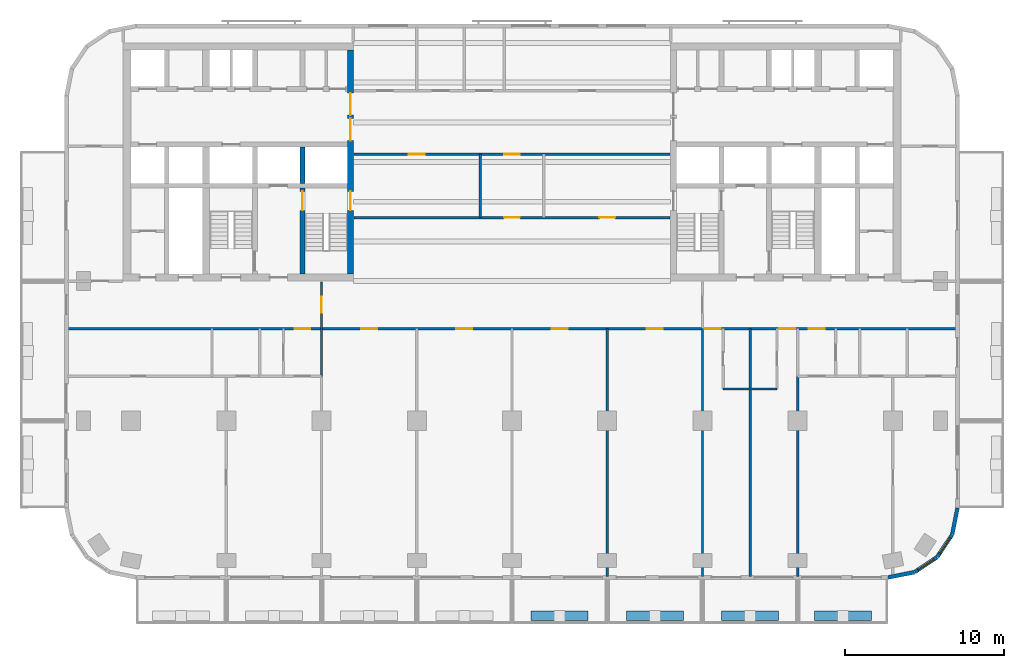
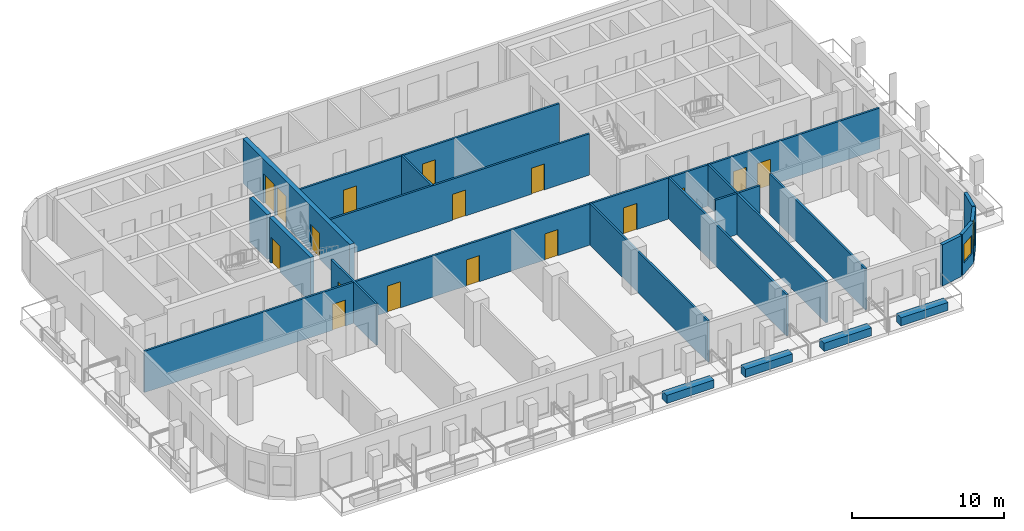
# One storey, part 4 of 12: 21 walls, 17 doors, 2 windows, 19 openings.
"""IFC4 building model written with IfcOpenShell, lengths in metres."""

from ifc_helpers import new_model, si_unit, direction, frame, frame_2d, origin, place, context, subcontext, project, spatial, rectangle, extrude, material, layer, layer_set, type_object, element, fill, save


model = new_model("IFC4")

# Units and contexts
model_context = context("Model", 3, precision=1e-05, world=origin(), true_north=direction((0.0, 1.0)))
body_context = subcontext(model_context, "Body", "Model", "MODEL_VIEW")
ifc_project = project(units=[si_unit("LENGTHUNIT", "METRE"), si_unit("AREAUNIT", "SQUARE_METRE"), si_unit("VOLUMEUNIT", "CUBIC_METRE"), si_unit("PLANEANGLEUNIT", "RADIAN"), si_unit("MASSUNIT", "GRAM", prefix="KILO")], contexts=[model_context])

# Site, building, storey
site_placement = place(None, origin())
site = spatial("IfcSite", under=ifc_project, at=site_placement, CompositionType="ELEMENT")
building_placement = place(site_placement, origin())
building = spatial("IfcBuilding", under=site, at=building_placement, Name="Torana Hotel and Residences", CompositionType="ELEMENT")
storey_placement = place(building_placement, frame((0.0, 0.0, 159.60009765625)))
storey = spatial("IfcBuildingStorey", under=building, at=storey_placement, Name="L41", CompositionType="ELEMENT", Elevation=159.60009765625)

# Wall
ifc_material_1 = material(Name="Concrete C70/85", Category="concrete")
ifc_layer_1 = layer(ifc_material_1, 0.300048828125)
ifc_layer_set_1 = layer_set([ifc_layer_1], Name="CORE WALL 300 C70/85")
wall_type_1 = type_object("IfcWallType", Name="CORE WALL 300 C70/85", PredefinedType="SHEAR", material=ifc_layer_set_1)
wall_1_placement = place(storey_placement, frame((-13.199951171875, -8.85009765625, 0.0), z_axis=(0.0, 0.0, 1.0), x_axis=(0.0, 1.0, 0.0)))
element("IfcWall", 1, at=wall_1_placement, inside=storey, type_object=wall_type_1, Name="Core wall W x3.05-S", PredefinedType="SHEAR", context=body_context, shape_type="SweptSolid", body=[
    extrude(rectangle(XDim=2.300048828125, YDim=0.300048828125, at=frame_2d((1.14990234375, 0.0))), origin(), (0.0, 0.0, 1.0), 3.599853515625),
])

# Wall, opening, door
wall_2_placement = place(storey_placement, frame((-13.199951171875, -14.550048828125, 0.0), z_axis=(0.0, 0.0, 1.0), x_axis=(0.0, 1.0, 0.0)))
wall_2 = element("IfcWall", 2, at=wall_2_placement, inside=storey, type_object=wall_type_1, Name="Core wall W x3.05-band", PredefinedType="SHEAR", context=body_context, shape_type="SweptSolid", body=[
    extrude(rectangle(XDim=5.400146484375, YDim=0.300048828125, at=frame_2d((2.7001953125, 0.0))), origin(), (0.0, 0.0, 1.0), 3.599853515625),
])
opening_1_placement = place(wall_2_placement, frame((4.0, 0.0, 0.0)))
opening_1 = element("IfcOpeningElement", 3, at=opening_1_placement, cuts=wall_2, Name="Opening L41-14", PredefinedType="OPENING", context=body_context, shape_type="SweptSolid", body=[
    extrude(rectangle(XDim=1.199951171875, YDim=2.10009765625, at=frame_2d((0.60009765625, 1.050048828125))), frame((0.0, 0.159912109375, 0.0), z_axis=(0.0, -1.0, 0.0), x_axis=(1.0, 0.0, 0.0)), (0.0, 0.0, 1.0), 0.320068359375),
])
ifc_material_2 = material(Name="Steel S235", Category="steel")
door_type_1 = type_object("IfcDoorType", Name="STAIR FIRE DOOR D3 1200x2100", OperationType="SINGLE_SWING_LEFT", PredefinedType="DOOR", material=ifc_material_2)
door_1_placement = place(opening_1_placement, frame((0.60009765625, 0.0, 0.0), z_axis=(0.0, 0.0, 1.0), x_axis=(-1.0, 0.0, 0.0)))
door_1 = element("IfcDoor", 4, at=door_1_placement, inside=storey, type_object=door_type_1, Name="Stair-A-lobby door L41", OperationType="SINGLE_SWING_RIGHT", OverallHeight=2.10009765625, OverallWidth=1.199951171875, PredefinedType="DOOR", context=body_context, shape_type="SweptSolid", body=[
    extrude(rectangle(XDim=1.199951171875, YDim=2.10009765625, at=frame_2d((0.0, 1.050048828125))), frame((0.0, -0.02490234375, 0.0), z_axis=(0.0, 1.0, 0.0), x_axis=(-1.0, 0.0, 0.0)), (0.0, 0.0, 1.0), 0.050048828125),
])
fill(opening_1, door_1)

# Wall, openings, doors
ifc_material_3 = material(Name="Concrete C70/85", Category="concrete")
ifc_layer_2 = layer(ifc_material_3, 0.35009765625)
ifc_layer_set_2 = layer_set([ifc_layer_2], Name="CORE WALL 350 C70/85")
wall_type_2 = type_object("IfcWallType", Name="CORE WALL 350 C70/85", PredefinedType="SHEAR", material=ifc_layer_set_2)
wall_3_placement = place(storey_placement, frame((-10.175048828125, -14.550048828125, 0.0), z_axis=(0.0, 0.0, 1.0), x_axis=(0.0, 1.0, 0.0)))
wall_3 = element("IfcWall", 5, at=wall_3_placement, inside=storey, type_object=wall_type_2, Name="Core wall W arch", PredefinedType="SHEAR", context=body_context, shape_type="SweptSolid", body=[
    extrude(rectangle(XDim=14.10009765625, YDim=0.35009765625, at=frame_2d((7.050048828125, 0.0))), origin(), (0.0, 0.0, 1.0), 3.599853515625),
])
opening_2_placement = place(wall_3_placement, frame((8.39990234375, 0.0, 0.0)))
opening_2 = element("IfcOpeningElement", 6, at=opening_2_placement, cuts=wall_3, Name="Opening L41-01", PredefinedType="OPENING", context=body_context, shape_type="SweptSolid", body=[
    extrude(rectangle(XDim=1.39990234375, YDim=2.39990234375, at=frame_2d((0.699951171875, 1.199951171875))), frame((0.0, 0.18505859375, 0.0), z_axis=(0.0, -1.0, 0.0), x_axis=(1.0, 0.0, 0.0)), (0.0, 0.0, 1.0), 0.3701171875),
])
opening_3_placement = place(wall_3_placement, frame((10.0, 0.0, 0.0)))
opening_3 = element("IfcOpeningElement", 7, at=opening_3_placement, cuts=wall_3, Name="Opening L41-02", PredefinedType="OPENING", context=body_context, shape_type="SweptSolid", body=[
    extrude(rectangle(XDim=1.39990234375, YDim=2.39990234375, at=frame_2d((0.699951171875, 1.199951171875))), frame((0.0, 0.18505859375, 0.0), z_axis=(0.0, -1.0, 0.0), x_axis=(1.0, 0.0, 0.0)), (0.0, 0.0, 1.0), 0.3701171875),
])
opening_4_placement = place(wall_3_placement, frame((4.0, 0.0, 0.0)))
opening_4 = element("IfcOpeningElement", 8, at=opening_4_placement, cuts=wall_3, Name="Opening L41-03", PredefinedType="OPENING", context=body_context, shape_type="SweptSolid", body=[
    extrude(rectangle(XDim=1.199951171875, YDim=2.10009765625, at=frame_2d((0.60009765625, 1.050048828125))), frame((0.0, 0.18505859375, 0.0), z_axis=(0.0, -1.0, 0.0), x_axis=(1.0, 0.0, 0.0)), (0.0, 0.0, 1.0), 0.3701171875),
])
ifc_material_4 = material(Name="Steel S235", Category="steel")
door_type_2 = type_object("IfcDoorType", Name="LOBBY FIRE DOOR D4 1400x2400", OperationType="DOUBLE_DOOR_SINGLE_SWING", PredefinedType="DOOR", material=ifc_material_4)
door_2_placement = place(opening_2_placement, origin())
door_2 = element("IfcDoor", 9, at=door_2_placement, inside=storey, type_object=door_type_2, Name="Lobby-1 door L41", OperationType="DOUBLE_DOOR_SINGLE_SWING", OverallHeight=2.39990234375, OverallWidth=1.39990234375, PredefinedType="DOOR", context=body_context, shape_type="SweptSolid", body=[
    extrude(rectangle(XDim=1.39990234375, YDim=2.39990234375, at=frame_2d((0.699951171875, 1.199951171875))), frame((0.0, 0.02490234375, 0.0), z_axis=(0.0, -1.0, 0.0), x_axis=(1.0, 0.0, 0.0)), (0.0, 0.0, 1.0), 0.050048828125),
])
fill(opening_2, door_2)
door_3_placement = place(opening_3_placement, origin())
door_3 = element("IfcDoor", 10, at=door_3_placement, inside=storey, type_object=door_type_2, Name="Lobby-2 door L41", OperationType="DOUBLE_DOOR_SINGLE_SWING", OverallHeight=2.39990234375, OverallWidth=1.39990234375, PredefinedType="DOOR", context=body_context, shape_type="SweptSolid", body=[
    extrude(rectangle(XDim=1.39990234375, YDim=2.39990234375, at=frame_2d((0.699951171875, 1.199951171875))), frame((0.0, 0.02490234375, 0.0), z_axis=(0.0, -1.0, 0.0), x_axis=(1.0, 0.0, 0.0)), (0.0, 0.0, 1.0), 0.050048828125),
])
fill(opening_3, door_3)
door_4_placement = place(opening_4_placement, origin())
door_4 = element("IfcDoor", 11, at=door_4_placement, inside=storey, type_object=door_type_1, Name="Stair-A door L41", OperationType="SINGLE_SWING_LEFT", OverallHeight=2.10009765625, OverallWidth=1.199951171875, PredefinedType="DOOR", context=body_context, shape_type="SweptSolid", body=[
    extrude(rectangle(XDim=1.199951171875, YDim=2.10009765625, at=frame_2d((0.60009765625, 1.050048828125))), frame((0.0, 0.02490234375, 0.0), z_axis=(0.0, -1.0, 0.0), x_axis=(1.0, 0.0, 0.0)), (0.0, 0.0, 1.0), 0.050048828125),
])
fill(opening_4, door_4)

# Wall
ifc_material_5 = material(Name="Black aluminium composite panel", Category="aluminium")
ifc_layer_3 = layer(ifc_material_5, 0.00390625, Name="Cladding", Category="cladding")
ifc_material_6 = material(Name="Ventilated air cavity")
ifc_layer_4 = layer(ifc_material_6, 0.0400390625, Name="Ventilated cavity", Category="cavity")
ifc_material_7 = material(Name="Mineral wool insulation")
ifc_layer_5 = layer(ifc_material_7, 0.090087890625, Name="Insulation", Category="insulation")
ifc_material_8 = material(Name="Steel S280GD", Category="steel")
ifc_layer_6 = layer(ifc_material_8, 0.092041015625, Name="Steel stud frame", Category="structure")
ifc_material_9 = material(Name="Fire rated plasterboard")
ifc_layer_7 = layer(ifc_material_9, 0.011962890625, Name="Inner board", Category="finish")
ifc_layer_8 = layer(ifc_material_9, 0.011962890625, Name="Second board", Category="finish")
ifc_layer_set_3 = layer_set([ifc_layer_3, ifc_layer_4, ifc_layer_5, ifc_layer_6, ifc_layer_7, ifc_layer_8], Name="EW1 EXTERNAL WALL BLACK METAL CLAD 250")
wall_type_3 = type_object("IfcWallType", Name="EW1 EXTERNAL WALL BLACK METAL CLAD 250", PredefinedType="SOLIDWALL", material=ifc_layer_set_3)
wall_4_placement = place(storey_placement, frame((23.69970703125, -33.672607421875, 0.0), z_axis=(0.0, 0.0, 1.0), x_axis=(0.980775640221, 0.19513878023, 0.0)))
element("IfcWall", 12, at=wall_4_placement, inside=storey, type_object=wall_type_3, Name="External wall L41 e0.15", PredefinedType="SOLIDWALL", context=body_context, shape_type="SweptSolid", body=[
    extrude(rectangle(XDim=1.681396484375, YDim=0.25, at=frame_2d((0.8408203125, 0.0))), origin(), (0.0, 0.0, 1.0), 3.31982421875),
])

# Wall, opening, window
wall_5_placement = place(storey_placement, frame((25.39404296875, -33.325927734375, 0.0), z_axis=(0.0, 0.0, 1.0), x_axis=(0.831482937015, 0.55555029066, 0.0)))
wall_5 = element("IfcWall", 13, at=wall_5_placement, inside=storey, type_object=wall_type_3, Name="External wall L41 e0.16", PredefinedType="SOLIDWALL", context=body_context, shape_type="SweptSolid", body=[
    extrude(rectangle(XDim=1.65625, YDim=0.25, at=frame_2d((0.828125, 0.0))), origin(), (0.0, 0.0, 1.0), 3.31982421875),
])
opening_5_placement = place(wall_5_placement, frame((0.228271484375, 0.0, 0.89990234375)))
opening_5 = element("IfcOpeningElement", 14, at=opening_5_placement, cuts=wall_5, Name="Opening W5", PredefinedType="OPENING", context=body_context, shape_type="SweptSolid", body=[
    extrude(rectangle(XDim=1.199951171875, YDim=1.5, at=frame_2d((0.60009765625, 0.75))), frame((0.0, 0.135009765625, 0.0), z_axis=(0.0, -1.0, 0.0), x_axis=(1.0, 0.0, 0.0)), (0.0, 0.0, 1.0), 0.27001953125),
])
ifc_material_10 = material(Name="Dark glass in black aluminium frame", Category="aluminium")
window_type = type_object("IfcWindowType", Name="W5 CORNER FACET WINDOW 1200x1500", PartitioningType="SINGLE_PANEL", PredefinedType="WINDOW", material=ifc_material_10)
window_1_placement = place(opening_5_placement, origin())
window_1 = element("IfcWindow", 15, at=window_1_placement, inside=storey, type_object=window_type, Name="Window L41 e0.16", OverallHeight=1.5, OverallWidth=1.199951171875, PartitioningType="SINGLE_PANEL", PredefinedType="WINDOW", context=body_context, shape_type="SweptSolid", body=[
    extrude(rectangle(XDim=1.199951171875, YDim=1.5, at=frame_2d((0.60009765625, 0.75))), frame((0.0, 0.030029296875, 0.0), z_axis=(0.0, -1.0, 0.0), x_axis=(1.0, 0.0, 0.0)), (0.0, 0.0, 1.0), 0.06005859375),
])
fill(opening_5, window_1)

wall_6_placement = place(storey_placement, frame((26.8056640625, -32.37109375, 0.0), z_axis=(0.0, 0.0, 1.0), x_axis=(0.55555029066, 0.831482937015, 0.0)))
wall_6 = element("IfcWall", 16, at=wall_6_placement, inside=storey, type_object=wall_type_3, Name="External wall L41 e0.17", PredefinedType="SOLIDWALL", context=body_context, shape_type="SweptSolid", body=[
    extrude(rectangle(XDim=1.65625, YDim=0.25, at=frame_2d((0.828125, 0.0))), origin(), (0.0, 0.0, 1.0), 3.31982421875),
])
opening_6_placement = place(wall_6_placement, frame((0.228271484375, 0.0, 0.89990234375)))
opening_6 = element("IfcOpeningElement", 17, at=opening_6_placement, cuts=wall_6, Name="Opening W5", PredefinedType="OPENING", context=body_context, shape_type="SweptSolid", body=[
    extrude(rectangle(XDim=1.199951171875, YDim=1.5, at=frame_2d((0.60009765625, 0.75))), frame((0.0, 0.135009765625, 0.0), z_axis=(0.0, -1.0, 0.0), x_axis=(1.0, 0.0, 0.0)), (0.0, 0.0, 1.0), 0.27001953125),
])
window_2_placement = place(opening_6_placement, origin())
window_2 = element("IfcWindow", 18, at=window_2_placement, inside=storey, type_object=window_type, Name="Window L41 e0.17", OverallHeight=1.5, OverallWidth=1.199951171875, PartitioningType="SINGLE_PANEL", PredefinedType="WINDOW", context=body_context, shape_type="SweptSolid", body=[
    extrude(rectangle(XDim=1.199951171875, YDim=1.5, at=frame_2d((0.60009765625, 0.75))), frame((0.0, 0.030029296875, 0.0), z_axis=(0.0, -1.0, 0.0), x_axis=(1.0, 0.0, 0.0)), (0.0, 0.0, 1.0), 0.06005859375),
])
fill(opening_6, window_2)

# Walls
wall_7_placement = place(storey_placement, frame((27.74462890625, -30.948974609375, 0.0), z_axis=(0.0, 0.0, 1.0), x_axis=(0.194999110559, 0.980803419081, 0.0)))
element("IfcWall", 19, at=wall_7_placement, inside=storey, type_object=wall_type_3, Name="External wall L41 e0.18", PredefinedType="SOLIDWALL", context=body_context, shape_type="SweptSolid", body=[
    extrude(rectangle(XDim=1.681396484375, YDim=0.25, at=frame_2d((0.8408203125, 0.0))), origin(), (0.0, 0.0, 1.0), 3.31982421875),
])
ifc_material_11 = material(Name="Gypsum plaster")
ifc_layer_9 = layer(ifc_material_11, 0.014892578125, Name="Plaster", Category="finish")
ifc_material_12 = material(Name="Concrete blockwork", Category="masonry")
ifc_layer_10 = layer(ifc_material_12, 0.1201171875, Name="Blockwork", Category="structure")
ifc_layer_11 = layer(ifc_material_11, 0.014892578125, Name="Plaster", Category="finish")
ifc_layer_set_4 = layer_set([ifc_layer_9, ifc_layer_10, ifc_layer_11], Name="FIRE PARTITION 150 BLOCKWORK")
wall_type_4 = type_object("IfcWallType", Name="FIRE PARTITION 150 BLOCKWORK", PredefinedType="PARTITIONING", material=ifc_layer_set_4)
wall_8_placement = place(storey_placement, frame((-2.0, -11.0, 0.0), z_axis=(0.0, 0.0, 1.0), x_axis=(0.0, 1.0, 0.0)))
element("IfcWall", 20, at=wall_8_placement, inside=storey, type_object=wall_type_4, Name="Partition L41", PredefinedType="PARTITIONING", context=body_context, shape_type="SweptSolid", body=[
    extrude(rectangle(XDim=4.0, YDim=0.14990234375, at=frame_2d((2.0, 0.0))), origin(), (0.0, 0.0, 1.0), 3.31982421875),
])

# Wall, opening, door
wall_9_placement = place(storey_placement, frame((-12.0, -21.0, 0.0), z_axis=(0.0, 0.0, 1.0), x_axis=(0.0, 1.0, 0.0)))
wall_9 = element("IfcWall", 21, at=wall_9_placement, inside=storey, type_object=wall_type_4, Name="Partition L41", PredefinedType="PARTITIONING", context=body_context, shape_type="SweptSolid", body=[
    extrude(rectangle(XDim=5.949951171875, YDim=0.14990234375, at=frame_2d((2.97509765625, 0.0))), origin(), (0.0, 0.0, 1.0), 3.31982421875),
])
opening_7_placement = place(wall_9_placement, frame((4.0, 0.0, 0.0)))
opening_7 = element("IfcOpeningElement", 22, at=opening_7_placement, cuts=wall_9, Name="Opening L41-33", PredefinedType="OPENING", context=body_context, shape_type="SweptSolid", body=[
    extrude(rectangle(XDim=1.0, YDim=2.10009765625, at=frame_2d((0.5, 1.050048828125))), frame((0.0, 0.0849609375, 0.0), z_axis=(0.0, -1.0, 0.0), x_axis=(1.0, 0.0, 0.0)), (0.0, 0.0, 1.0), 0.169921875),
])
ifc_material_13 = material(Name="Steel S235", Category="steel")
door_type_3 = type_object("IfcDoorType", Name="ENTRY FIRE DOOR D6 1000x2100", OperationType="SINGLE_SWING_LEFT", PredefinedType="DOOR", material=ifc_material_13)
door_5_placement = place(opening_7_placement, origin())
door_5 = element("IfcDoor", 23, at=door_5_placement, inside=storey, type_object=door_type_3, Name="Door L41", OperationType="SINGLE_SWING_RIGHT", OverallHeight=2.10009765625, OverallWidth=1.0, PredefinedType="DOOR", context=body_context, shape_type="SweptSolid", body=[
    extrude(rectangle(XDim=1.0, YDim=2.10009765625, at=frame_2d((0.5, 1.050048828125))), frame((0.0, 0.02490234375, 0.0), z_axis=(0.0, -1.0, 0.0), x_axis=(1.0, 0.0, 0.0)), (0.0, 0.0, 1.0), 0.050048828125),
])
fill(opening_7, door_5)

# Wall, openings, doors
wall_10_placement = place(storey_placement, frame((-28.02001953125, -18.0, 0.0), z_axis=(0.0, 0.0, 1.0), x_axis=(1.0, 0.0, 0.0)))
wall_10 = element("IfcWall", 24, at=wall_10_placement, inside=storey, type_object=wall_type_4, Name="Partition L41", PredefinedType="PARTITIONING", context=body_context, shape_type="SweptSolid", body=[
    extrude(rectangle(XDim=56.0400390625, YDim=0.14990234375, at=frame_2d((28.02001953125, 0.0))), origin(), (0.0, 0.0, 1.0), 3.31982421875),
])
opening_8_placement = place(wall_10_placement, frame((14.320068359375, 0.0, 0.0)))
opening_8 = element("IfcOpeningElement", 25, at=opening_8_placement, cuts=wall_10, Name="Opening L41-34", PredefinedType="OPENING", context=body_context, shape_type="SweptSolid", body=[
    extrude(rectangle(XDim=1.0, YDim=2.10009765625, at=frame_2d((0.5, 1.050048828125))), frame((0.0, 0.0849609375, 0.0), z_axis=(0.0, -1.0, 0.0), x_axis=(1.0, 0.0, 0.0)), (0.0, 0.0, 1.0), 0.169921875),
])
opening_9_placement = place(wall_10_placement, frame((40.169921875, 0.0, 0.0)))
opening_9 = element("IfcOpeningElement", 26, at=opening_9_placement, cuts=wall_10, Name="Opening L41-37", PredefinedType="OPENING", context=body_context, shape_type="SweptSolid", body=[
    extrude(rectangle(XDim=1.0, YDim=2.10009765625, at=frame_2d((0.5, 1.050048828125))), frame((0.0, 0.0849609375, 0.0), z_axis=(0.0, -1.0, 0.0), x_axis=(1.0, 0.0, 0.0)), (0.0, 0.0, 1.0), 0.169921875),
])
opening_10_placement = place(wall_10_placement, frame((44.8701171875, 0.0, 0.0)))
opening_10 = element("IfcOpeningElement", 27, at=opening_10_placement, cuts=wall_10, Name="Opening L41-38", PredefinedType="OPENING", context=body_context, shape_type="SweptSolid", body=[
    extrude(rectangle(XDim=1.0, YDim=2.10009765625, at=frame_2d((0.5, 1.050048828125))), frame((0.0, 0.0849609375, 0.0), z_axis=(0.0, -1.0, 0.0), x_axis=(1.0, 0.0, 0.0)), (0.0, 0.0, 1.0), 0.169921875),
])
opening_11_placement = place(wall_10_placement, frame((46.719970703125, 0.0, 0.0)))
opening_11 = element("IfcOpeningElement", 28, at=opening_11_placement, cuts=wall_10, Name="Opening L41-39", PredefinedType="OPENING", context=body_context, shape_type="SweptSolid", body=[
    extrude(rectangle(XDim=1.0, YDim=2.10009765625, at=frame_2d((0.5, 1.050048828125))), frame((0.0, 0.0849609375, 0.0), z_axis=(0.0, -1.0, 0.0), x_axis=(1.0, 0.0, 0.0)), (0.0, 0.0, 1.0), 0.169921875),
])
opening_12_placement = place(wall_10_placement, frame((18.52001953125, 0.0, 0.0)))
opening_12 = element("IfcOpeningElement", 29, at=opening_12_placement, cuts=wall_10, Name="Opening L41-42", PredefinedType="OPENING", context=body_context, shape_type="SweptSolid", body=[
    extrude(rectangle(XDim=1.0, YDim=2.10009765625, at=frame_2d((0.5, 1.050048828125))), frame((0.0, 0.0849609375, 0.0), z_axis=(0.0, -1.0, 0.0), x_axis=(1.0, 0.0, 0.0)), (0.0, 0.0, 1.0), 0.169921875),
])
opening_13_placement = place(wall_10_placement, frame((24.52001953125, 0.0, 0.0)))
opening_13 = element("IfcOpeningElement", 30, at=opening_13_placement, cuts=wall_10, Name="Opening L41-43", PredefinedType="OPENING", context=body_context, shape_type="SweptSolid", body=[
    extrude(rectangle(XDim=1.0, YDim=2.10009765625, at=frame_2d((0.5, 1.050048828125))), frame((0.0, 0.0849609375, 0.0), z_axis=(0.0, -1.0, 0.0), x_axis=(1.0, 0.0, 0.0)), (0.0, 0.0, 1.0), 0.169921875),
])
opening_14_placement = place(wall_10_placement, frame((30.52001953125, 0.0, 0.0)))
opening_14 = element("IfcOpeningElement", 31, at=opening_14_placement, cuts=wall_10, Name="Opening L41-44", PredefinedType="OPENING", context=body_context, shape_type="SweptSolid", body=[
    extrude(rectangle(XDim=1.0, YDim=2.10009765625, at=frame_2d((0.5, 1.050048828125))), frame((0.0, 0.0849609375, 0.0), z_axis=(0.0, -1.0, 0.0), x_axis=(1.0, 0.0, 0.0)), (0.0, 0.0, 1.0), 0.169921875),
])
opening_15_placement = place(wall_10_placement, frame((36.52001953125, 0.0, 0.0)))
opening_15 = element("IfcOpeningElement", 32, at=opening_15_placement, cuts=wall_10, Name="Opening L41-45", PredefinedType="OPENING", context=body_context, shape_type="SweptSolid", body=[
    extrude(rectangle(XDim=1.0, YDim=2.10009765625, at=frame_2d((0.5, 1.050048828125))), frame((0.0, 0.0849609375, 0.0), z_axis=(0.0, -1.0, 0.0), x_axis=(1.0, 0.0, 0.0)), (0.0, 0.0, 1.0), 0.169921875),
])
door_6_placement = place(opening_8_placement, origin())
door_6 = element("IfcDoor", 33, at=door_6_placement, inside=storey, type_object=door_type_3, Name="Door L41", OperationType="SINGLE_SWING_LEFT", OverallHeight=2.10009765625, OverallWidth=1.0, PredefinedType="DOOR", context=body_context, shape_type="SweptSolid", body=[
    extrude(rectangle(XDim=1.0, YDim=2.10009765625, at=frame_2d((0.5, 1.050048828125))), frame((0.0, 0.02490234375, 0.0), z_axis=(0.0, -1.0, 0.0), x_axis=(1.0, 0.0, 0.0)), (0.0, 0.0, 1.0), 0.050048828125),
])
fill(opening_8, door_6)
door_7_placement = place(opening_9_placement, frame((0.5, 0.0, 0.0), z_axis=(0.0, 0.0, 1.0), x_axis=(-1.0, 0.0, 0.0)))
door_7 = element("IfcDoor", 34, at=door_7_placement, inside=storey, type_object=door_type_3, Name="Door L41", OperationType="SINGLE_SWING_LEFT", OverallHeight=2.10009765625, OverallWidth=1.0, PredefinedType="DOOR", context=body_context, shape_type="SweptSolid", body=[
    extrude(rectangle(XDim=1.0, YDim=2.10009765625, at=frame_2d((0.0, 1.050048828125))), frame((0.0, -0.02490234375, 0.0), z_axis=(0.0, 1.0, 0.0), x_axis=(-1.0, 0.0, 0.0)), (0.0, 0.0, 1.0), 0.050048828125),
])
fill(opening_9, door_7)
door_8_placement = place(opening_10_placement, frame((0.5, 0.0, 0.0), z_axis=(0.0, 0.0, 1.0), x_axis=(-1.0, 0.0, 0.0)))
door_8 = element("IfcDoor", 35, at=door_8_placement, inside=storey, type_object=door_type_3, Name="Door L41", OperationType="SINGLE_SWING_LEFT", OverallHeight=2.10009765625, OverallWidth=1.0, PredefinedType="DOOR", context=body_context, shape_type="SweptSolid", body=[
    extrude(rectangle(XDim=1.0, YDim=2.10009765625, at=frame_2d((0.0, 1.050048828125))), frame((0.0, -0.02490234375, 0.0), z_axis=(0.0, 1.0, 0.0), x_axis=(-1.0, 0.0, 0.0)), (0.0, 0.0, 1.0), 0.050048828125),
])
fill(opening_10, door_8)
door_9_placement = place(opening_11_placement, origin())
door_9 = element("IfcDoor", 36, at=door_9_placement, inside=storey, type_object=door_type_3, Name="Door L41", OperationType="SINGLE_SWING_RIGHT", OverallHeight=2.10009765625, OverallWidth=1.0, PredefinedType="DOOR", context=body_context, shape_type="SweptSolid", body=[
    extrude(rectangle(XDim=1.0, YDim=2.10009765625, at=frame_2d((0.5, 1.050048828125))), frame((0.0, 0.02490234375, 0.0), z_axis=(0.0, -1.0, 0.0), x_axis=(1.0, 0.0, 0.0)), (0.0, 0.0, 1.0), 0.050048828125),
])
fill(opening_11, door_9)
door_10_placement = place(opening_12_placement, frame((0.5, 0.0, 0.0), z_axis=(0.0, 0.0, 1.0), x_axis=(-1.0, 0.0, 0.0)))
door_10 = element("IfcDoor", 37, at=door_10_placement, inside=storey, type_object=door_type_3, Name="Door L41", OperationType="SINGLE_SWING_LEFT", OverallHeight=2.10009765625, OverallWidth=1.0, PredefinedType="DOOR", context=body_context, shape_type="SweptSolid", body=[
    extrude(rectangle(XDim=1.0, YDim=2.10009765625, at=frame_2d((0.0, 1.050048828125))), frame((0.0, -0.02490234375, 0.0), z_axis=(0.0, 1.0, 0.0), x_axis=(-1.0, 0.0, 0.0)), (0.0, 0.0, 1.0), 0.050048828125),
])
fill(opening_12, door_10)
door_11_placement = place(opening_13_placement, frame((0.5, 0.0, 0.0), z_axis=(0.0, 0.0, 1.0), x_axis=(-1.0, 0.0, 0.0)))
door_11 = element("IfcDoor", 38, at=door_11_placement, inside=storey, type_object=door_type_3, Name="Door L41", OperationType="SINGLE_SWING_LEFT", OverallHeight=2.10009765625, OverallWidth=1.0, PredefinedType="DOOR", context=body_context, shape_type="SweptSolid", body=[
    extrude(rectangle(XDim=1.0, YDim=2.10009765625, at=frame_2d((0.0, 1.050048828125))), frame((0.0, -0.02490234375, 0.0), z_axis=(0.0, 1.0, 0.0), x_axis=(-1.0, 0.0, 0.0)), (0.0, 0.0, 1.0), 0.050048828125),
])
fill(opening_13, door_11)
door_12_placement = place(opening_14_placement, frame((0.5, 0.0, 0.0), z_axis=(0.0, 0.0, 1.0), x_axis=(-1.0, 0.0, 0.0)))
door_12 = element("IfcDoor", 39, at=door_12_placement, inside=storey, type_object=door_type_3, Name="Door L41", OperationType="SINGLE_SWING_LEFT", OverallHeight=2.10009765625, OverallWidth=1.0, PredefinedType="DOOR", context=body_context, shape_type="SweptSolid", body=[
    extrude(rectangle(XDim=1.0, YDim=2.10009765625, at=frame_2d((0.0, 1.050048828125))), frame((0.0, -0.02490234375, 0.0), z_axis=(0.0, 1.0, 0.0), x_axis=(-1.0, 0.0, 0.0)), (0.0, 0.0, 1.0), 0.050048828125),
])
fill(opening_14, door_12)
door_13_placement = place(opening_15_placement, frame((0.5, 0.0, 0.0), z_axis=(0.0, 0.0, 1.0), x_axis=(-1.0, 0.0, 0.0)))
door_13 = element("IfcDoor", 40, at=door_13_placement, inside=storey, type_object=door_type_3, Name="Door L41", OperationType="SINGLE_SWING_LEFT", OverallHeight=2.10009765625, OverallWidth=1.0, PredefinedType="DOOR", context=body_context, shape_type="SweptSolid", body=[
    extrude(rectangle(XDim=1.0, YDim=2.10009765625, at=frame_2d((0.0, 1.050048828125))), frame((0.0, -0.02490234375, 0.0), z_axis=(0.0, 1.0, 0.0), x_axis=(-1.0, 0.0, 0.0)), (0.0, 0.0, 1.0), 0.050048828125),
])
fill(opening_15, door_13)

wall_11_placement = place(storey_placement, frame((-9.949951171875, -11.0, 0.0), z_axis=(0.0, 0.0, 1.0), x_axis=(1.0, 0.0, 0.0)))
wall_11 = element("IfcWall", 41, at=wall_11_placement, inside=storey, type_object=wall_type_4, Name="Partition L41", PredefinedType="PARTITIONING", context=body_context, shape_type="SweptSolid", body=[
    extrude(rectangle(XDim=19.89990234375, YDim=0.14990234375, at=frame_2d((9.949951171875, 0.0))), origin(), (0.0, 0.0, 1.0), 3.31982421875),
])
opening_16_placement = place(wall_11_placement, frame((9.449951171875, 0.0, 0.0)))
opening_16 = element("IfcOpeningElement", 42, at=opening_16_placement, cuts=wall_11, Name="Opening L41-41", PredefinedType="OPENING", context=body_context, shape_type="SweptSolid", body=[
    extrude(rectangle(XDim=1.0, YDim=2.10009765625, at=frame_2d((0.5, 1.050048828125))), frame((0.0, 0.0849609375, 0.0), z_axis=(0.0, -1.0, 0.0), x_axis=(1.0, 0.0, 0.0)), (0.0, 0.0, 1.0), 0.169921875),
])
opening_17_placement = place(wall_11_placement, frame((15.449951171875, 0.0, 0.0)))
opening_17 = element("IfcOpeningElement", 43, at=opening_17_placement, cuts=wall_11, Name="Opening L41-46", PredefinedType="OPENING", context=body_context, shape_type="SweptSolid", body=[
    extrude(rectangle(XDim=1.0, YDim=2.10009765625, at=frame_2d((0.5, 1.050048828125))), frame((0.0, 0.0849609375, 0.0), z_axis=(0.0, -1.0, 0.0), x_axis=(1.0, 0.0, 0.0)), (0.0, 0.0, 1.0), 0.169921875),
])
door_14_placement = place(opening_16_placement, origin())
door_14 = element("IfcDoor", 44, at=door_14_placement, inside=storey, type_object=door_type_3, Name="Door L41", OperationType="SINGLE_SWING_RIGHT", OverallHeight=2.10009765625, OverallWidth=1.0, PredefinedType="DOOR", context=body_context, shape_type="SweptSolid", body=[
    extrude(rectangle(XDim=1.0, YDim=2.10009765625, at=frame_2d((0.5, 1.050048828125))), frame((0.0, 0.02490234375, 0.0), z_axis=(0.0, -1.0, 0.0), x_axis=(1.0, 0.0, 0.0)), (0.0, 0.0, 1.0), 0.050048828125),
])
fill(opening_16, door_14)
door_15_placement = place(opening_17_placement, origin())
door_15 = element("IfcDoor", 45, at=door_15_placement, inside=storey, type_object=door_type_3, Name="Door L41", OperationType="SINGLE_SWING_RIGHT", OverallHeight=2.10009765625, OverallWidth=1.0, PredefinedType="DOOR", context=body_context, shape_type="SweptSolid", body=[
    extrude(rectangle(XDim=1.0, YDim=2.10009765625, at=frame_2d((0.5, 1.050048828125))), frame((0.0, 0.02490234375, 0.0), z_axis=(0.0, -1.0, 0.0), x_axis=(1.0, 0.0, 0.0)), (0.0, 0.0, 1.0), 0.050048828125),
])
fill(opening_17, door_15)

wall_12_placement = place(storey_placement, frame((-9.949951171875, -7.0, 0.0), z_axis=(0.0, 0.0, 1.0), x_axis=(1.0, 0.0, 0.0)))
wall_12 = element("IfcWall", 46, at=wall_12_placement, inside=storey, type_object=wall_type_4, Name="Partition L41", PredefinedType="PARTITIONING", context=body_context, shape_type="SweptSolid", body=[
    extrude(rectangle(XDim=19.89990234375, YDim=0.14990234375, at=frame_2d((9.949951171875, 0.0))), origin(), (0.0, 0.0, 1.0), 3.31982421875),
])
opening_18_placement = place(wall_12_placement, frame((9.449951171875, 0.0, 0.0)))
opening_18 = element("IfcOpeningElement", 47, at=opening_18_placement, cuts=wall_12, Name="Opening L41-47", PredefinedType="OPENING", context=body_context, shape_type="SweptSolid", body=[
    extrude(rectangle(XDim=1.0, YDim=2.10009765625, at=frame_2d((0.5, 1.050048828125))), frame((0.0, 0.0849609375, 0.0), z_axis=(0.0, -1.0, 0.0), x_axis=(1.0, 0.0, 0.0)), (0.0, 0.0, 1.0), 0.169921875),
])
opening_19_placement = place(wall_12_placement, frame((3.449951171875, 0.0, 0.0)))
opening_19 = element("IfcOpeningElement", 48, at=opening_19_placement, cuts=wall_12, Name="Opening L41-48", PredefinedType="OPENING", context=body_context, shape_type="SweptSolid", body=[
    extrude(rectangle(XDim=1.0, YDim=2.10009765625, at=frame_2d((0.5, 1.050048828125))), frame((0.0, 0.0849609375, 0.0), z_axis=(0.0, -1.0, 0.0), x_axis=(1.0, 0.0, 0.0)), (0.0, 0.0, 1.0), 0.169921875),
])
door_16_placement = place(opening_18_placement, origin())
door_16 = element("IfcDoor", 49, at=door_16_placement, inside=storey, type_object=door_type_3, Name="Door L41", OperationType="SINGLE_SWING_RIGHT", OverallHeight=2.10009765625, OverallWidth=1.0, PredefinedType="DOOR", context=body_context, shape_type="SweptSolid", body=[
    extrude(rectangle(XDim=1.0, YDim=2.10009765625, at=frame_2d((0.5, 1.050048828125))), frame((0.0, 0.02490234375, 0.0), z_axis=(0.0, -1.0, 0.0), x_axis=(1.0, 0.0, 0.0)), (0.0, 0.0, 1.0), 0.050048828125),
])
fill(opening_18, door_16)
door_17_placement = place(opening_19_placement, frame((0.5, 0.0, 0.0), z_axis=(0.0, 0.0, 1.0), x_axis=(-1.0, 0.0, 0.0)))
door_17 = element("IfcDoor", 50, at=door_17_placement, inside=storey, type_object=door_type_3, Name="Door L41", OperationType="SINGLE_SWING_LEFT", OverallHeight=2.10009765625, OverallWidth=1.0, PredefinedType="DOOR", context=body_context, shape_type="SweptSolid", body=[
    extrude(rectangle(XDim=1.0, YDim=2.10009765625, at=frame_2d((0.0, 1.050048828125))), frame((0.0, -0.02490234375, 0.0), z_axis=(0.0, 1.0, 0.0), x_axis=(-1.0, 0.0, 0.0)), (0.0, 0.0, 1.0), 0.050048828125),
])
fill(opening_19, door_17)

# Walls
ifc_material_14 = material(Name="Gypsum plasterboard")
ifc_layer_12 = layer(ifc_material_14, 0.012451171875, Name="Plasterboard", Category="finish")
ifc_layer_13 = layer(ifc_material_14, 0.012451171875, Name="Plasterboard", Category="finish")
ifc_layer_14 = layer(ifc_material_8, 0.10009765625, Name="Steel studs with mineral wool", Category="insulation")
ifc_layer_15 = layer(ifc_material_14, 0.012451171875, Name="Plasterboard", Category="finish")
ifc_layer_16 = layer(ifc_material_14, 0.012451171875, Name="Plasterboard", Category="finish")
ifc_layer_set_5 = layer_set([ifc_layer_12, ifc_layer_13, ifc_layer_14, ifc_layer_15, ifc_layer_16], Name="PARTITION 150 PLASTERBOARD")
wall_type_5 = type_object("IfcWallType", Name="PARTITION 150 PLASTERBOARD", PredefinedType="PARTITIONING", material=ifc_layer_set_5)
wall_13_placement = place(storey_placement, frame((18.0, -33.6201171875, 0.0), z_axis=(0.0, 0.0, 1.0), x_axis=(0.0, 1.0, 0.0)))
element("IfcWall", 51, at=wall_13_placement, inside=storey, type_object=wall_type_5, Name="Partition L41", PredefinedType="PARTITIONING", context=body_context, shape_type="SweptSolid", body=[
    extrude(rectangle(XDim=12.6201171875, YDim=0.14990234375, at=frame_2d((6.31005859375, 0.0))), origin(), (0.0, 0.0, 1.0), 3.31982421875),
])
for number, where, z_axis, x_axis, name in (
    (52, (15.0, -33.6201171875, 0.0), (0.0, 0.0, 1.0), (0.0, 1.0, 0.0), "Partition L41"),
    (53, (12.0, -33.6201171875, 0.0), (0.0, 0.0, 1.0), (0.0, 1.0, 0.0), "Partition L41"),
    (54, (6.0, -33.6201171875, 0.0), (0.0, 0.0, 1.0), (0.0, 1.0, 0.0), "Partition L41"),
):
    element("IfcWall", number, at=place(storey_placement, frame(where, z_axis=z_axis, x_axis=x_axis)), inside=storey, type_object=wall_type_5, Name=name, PredefinedType="PARTITIONING", context=body_context, shape_type="SweptSolid", body=[
        extrude(rectangle(XDim=15.6201171875, YDim=0.14990234375, at=frame_2d((7.81005859375, 0.0))), origin(), (0.0, 0.0, 1.0), 3.31982421875),
    ])
wall_14_placement = place(storey_placement, frame((13.300048828125, -21.800048828125, 0.0), z_axis=(0.0, 0.0, 1.0), x_axis=(1.0, 0.0, 0.0)))
element("IfcWall", 55, at=wall_14_placement, inside=storey, type_object=wall_type_5, Name="Partition L41", PredefinedType="PARTITIONING", context=body_context, shape_type="SweptSolid", body=[
    extrude(rectangle(XDim=3.39990234375, YDim=0.14990234375, at=frame_2d((1.699951171875, 0.0))), origin(), (0.0, 0.0, 1.0), 3.31982421875),
])
ifc_material_15 = material(Name="Concrete C40/50 precast", Category="concrete")
ifc_layer_17 = layer(ifc_material_15, 0.10009765625, Name="Planter shell", Category="structure")
ifc_material_16 = material(Name="Root resistant membrane")
ifc_layer_18 = layer(ifc_material_16, 0.00390625, Name="Waterproofing membrane", Category="membrane")
ifc_material_17 = material(Name="Drainage board with filter fleece")
ifc_layer_19 = layer(ifc_material_17, 0.02001953125, Name="Drainage board", Category="drainage")
ifc_material_18 = material(Name="Growing medium")
ifc_layer_20 = layer(ifc_material_18, 0.47607421875, Name="Planting substrate", Category="soil")
ifc_layer_set_6 = layer_set([ifc_layer_17, ifc_layer_18, ifc_layer_19, ifc_layer_20], Name="PL1 BALCONY PLANTER 600")
wall_type_6 = type_object("IfcWallType", Name="PL1 BALCONY PLANTER 600", PredefinedType="USERDEFINED", material=ifc_layer_set_6)
for number, where, z_axis, x_axis, name in (
    (56, (4.800048828125, -36.10009765625, 0.0), (0.0, 0.0, 1.0), (-1.0, 0.0, 0.0), "Planter 05"),
    (57, (10.800048828125, -36.10009765625, 0.0), (0.0, 0.0, 1.0), (-1.0, 0.0, 0.0), "Planter 06"),
    (58, (16.800048828125, -36.10009765625, 0.0), (0.0, 0.0, 1.0), (-1.0, 0.0, 0.0), "Planter 07"),
):
    element("IfcWall", number, at=place(storey_placement, frame(where, z_axis=z_axis, x_axis=x_axis)), inside=storey, type_object=wall_type_6, Name=name, ObjectType="PLANTER", PredefinedType="USERDEFINED", context=body_context, shape_type="SweptSolid", body=[
        extrude(rectangle(XDim=3.60009765625, YDim=0.60009765625, at=frame_2d((1.800048828125, 0.0))), origin(), (0.0, 0.0, 1.0), 0.64990234375),
    ])
wall_15_placement = place(storey_placement, frame((22.64990234375, -36.10009765625, 0.0), z_axis=(0.0, 0.0, 1.0), x_axis=(-1.0, 0.0, 0.0)))
element("IfcWall", 59, at=wall_15_placement, inside=storey, type_object=wall_type_6, Name="Planter 08", ObjectType="PLANTER", PredefinedType="USERDEFINED", context=body_context, shape_type="SweptSolid", body=[
    extrude(rectangle(XDim=3.599853515625, YDim=0.60009765625, at=frame_2d((1.7998046875, 0.0))), origin(), (0.0, 0.0, 1.0), 0.64990234375),
])

save(model, "model.ifc")
